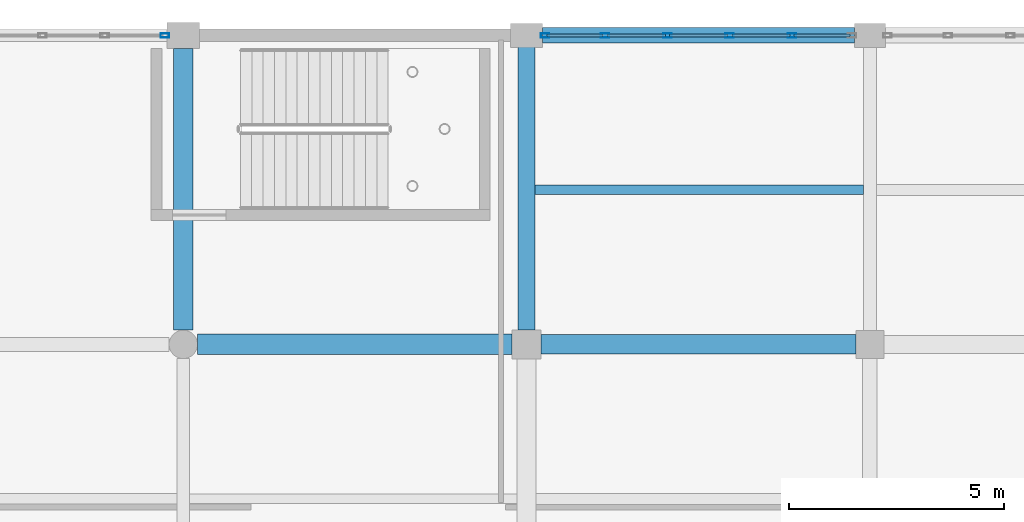
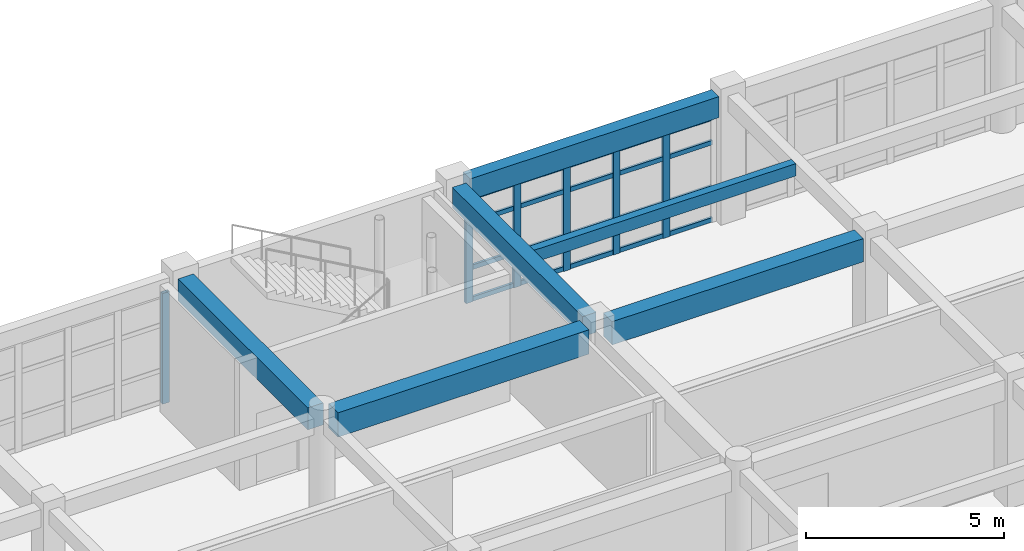
# One storey, part 136 of 195: 26 members, 6 beams, 2 elements without a shape of their own.
"""IFC4 building model written with IfcOpenShell, lengths in metres."""

from ifc_helpers import new_model, si_unit, direction, frame, origin, origin_2d, place, context, subcontext, project, spatial, rectangle, hollow_rectangle, extrude, material, material_profile, profile_set, type_object, element, aggregate, save


model = new_model("IFC4")

# Units and contexts
model_context = context("Model", 3, precision=1e-05, world=origin(), true_north=direction((0.0, 1.0)))
body_context = subcontext(model_context, "Body", "Model", "MODEL_VIEW")
ifc_project = project(units=[si_unit("LENGTHUNIT", "METRE"), si_unit("AREAUNIT", "SQUARE_METRE"), si_unit("VOLUMEUNIT", "CUBIC_METRE"), si_unit("PLANEANGLEUNIT", "RADIAN"), si_unit("MASSUNIT", "GRAM", prefix="KILO")], contexts=[model_context])

# Site, building, storey
site_placement = place(None, origin())
site = spatial("IfcSite", under=ifc_project, at=site_placement, CompositionType="ELEMENT")
building_placement = place(site_placement, origin())
building = spatial("IfcBuilding", under=site, at=building_placement, Name="Kharva Crest Polytechnic", CompositionType="ELEMENT")
storey_placement = place(building_placement, frame((0.0, 0.0, 9.0)))
storey = spatial("IfcBuildingStorey", under=building, at=storey_placement, Name="L02", CompositionType="ELEMENT", Elevation=9.0)

# Beams
ifc_material_1 = material(Name="Concrete C35/45", Category="concrete")
ifc_material_profile_1 = material_profile(ifc_material_1, rectangle(XDim=0.39990234375, YDim=0.6201171875, at=origin_2d()), Name="RECT 400 X 620")
ifc_profile_set_1 = profile_set([ifc_material_profile_1], Name="Concrete C35/45")
beam_type_1 = type_object("IfcBeamType", Name="BM-RC-400X620", PredefinedType="BEAM", material=ifc_profile_set_1)
beam_1_placement = place(storey_placement, frame((152.800048828125, 115.139892578125, 3.610107421875), z_axis=(0.0, 1.0, 0.0), x_axis=(-1.0, 0.0, 0.0)))
element("IfcBeam", 1, at=beam_1_placement, inside=storey, type_object=beam_type_1, Name="L02 Girder 20/R-S", PredefinedType="BEAM", context=body_context, shape_type="SweptSolid", body=[
    extrude(rectangle(XDim=0.39990234375, YDim=0.6201171875, at=origin_2d()), origin(), (0.0, 0.0, 1.0), 6.585205078125),
])
ifc_material_profile_2 = material_profile(ifc_material_1, rectangle(XDim=0.449951171875, YDim=0.679931640625, at=origin_2d()), Name="RECT 450 X 680")
ifc_profile_set_2 = profile_set([ifc_material_profile_2], Name="Concrete C35/45")
beam_type_2 = type_object("IfcBeamType", Name="BM-RC-450X680", PredefinedType="BEAM", material=ifc_profile_set_2)
beam_2_placement = place(storey_placement, frame((144.800048828125, 115.1298828125, 3.580078125), z_axis=(0.0, 1.0, 0.0), x_axis=(-1.0, 0.0, 0.0)))
element("IfcBeam", 2, at=beam_2_placement, inside=storey, type_object=beam_type_2, Name="L02 Girder 19/R-S", PredefinedType="BEAM", context=body_context, shape_type="SweptSolid", body=[
    extrude(rectangle(XDim=0.449951171875, YDim=0.679931640625, at=origin_2d()), origin(), (0.0, 0.0, 1.0), 6.570068359375),
])
ifc_material_profile_3 = material_profile(ifc_material_1, rectangle(XDim=0.449951171875, YDim=0.719970703125, at=origin_2d()), Name="RECT 450 X 720")
ifc_profile_set_3 = profile_set([ifc_material_profile_3], Name="Concrete C35/45")
beam_type_3 = type_object("IfcBeamType", Name="BM-RC-450X720", PredefinedType="BEAM", material=ifc_profile_set_3)
beam_3_placement = place(storey_placement, frame((153.139892578125, 114.800048828125, 3.56005859375), z_axis=(1.0, 0.0, 0.0), x_axis=(0.0, 1.0, 0.0)))
element("IfcBeam", 3, at=beam_3_placement, inside=storey, type_object=beam_type_3, Name="L02 Beam R/20-21", PredefinedType="BEAM", context=body_context, shape_type="SweptSolid", body=[
    extrude(rectangle(XDim=0.449951171875, YDim=0.719970703125, at=origin_2d()), origin(), (0.0, 0.0, 1.0), 7.335205078125),
])
ifc_material_profile_4 = material_profile(ifc_material_1, rectangle(XDim=0.47998046875, YDim=0.75, at=origin_2d()), Name="RECT 480 X 750")
ifc_profile_set_4 = profile_set([ifc_material_profile_4], Name="Concrete C35/45")
beam_type_4 = type_object("IfcBeamType", Name="BM-RC-480X750", PredefinedType="BEAM", material=ifc_profile_set_4)
beam_4_placement = place(storey_placement, frame((145.1298828125, 114.800048828125, 3.544921875), z_axis=(1.0, 0.0, 0.0), x_axis=(0.0, 1.0, 0.0)))
element("IfcBeam", 4, at=beam_4_placement, inside=storey, type_object=beam_type_4, Name="L02 Beam R/19-20", PredefinedType="BEAM", context=body_context, shape_type="SweptSolid", body=[
    extrude(rectangle(XDim=0.47998046875, YDim=0.75, at=origin_2d()), origin(), (0.0, 0.0, 1.0), 7.330078125),
])

# Curtain wall, members
ifc_material_2 = material(Name="Tempered insulated glass", Category="glass")
curtain_wall_type = type_object("IfcCurtainWallType", Name="CW-SYS-LIBRARY", PredefinedType="USERDEFINED", material=ifc_material_2)
curtain_wall_1_placement = place(storey_placement, origin())
curtain_wall_1 = element("IfcCurtainWall", 5, at=curtain_wall_1_placement, inside=storey, type_object=curtain_wall_type, Name="L02 Glazed Curtain Wall CW-115", ObjectType="CURTAIN WALL", PredefinedType="USERDEFINED")
ifc_material_3 = material(Name="Steel S355", Category="steel")
ifc_material_profile_5 = material_profile(ifc_material_3, hollow_rectangle(XDim=0.10009765625, YDim=0.199951171875, WallThickness=0.00634765625, at=origin_2d()), Name="RHS 200X100X6.3")
ifc_profile_set_5 = profile_set([ifc_material_profile_5], Name="Steel S355")
member_type_1 = type_object("IfcMemberType", Name="CWM-RHS200X100", PredefinedType="MULLION", material=ifc_profile_set_5)
member_1_placement = place(storey_placement, frame((158.98388671875, 122.0, 0.0), z_axis=(0.0, 0.0, 1.0), x_axis=(0.0, -1.0, 0.0)))
member_1 = element("IfcMember", 6, at=member_1_placement, type_object=member_type_1, Name="CW-115 mullion 2", PredefinedType="MULLION", context=body_context, shape_type="SweptSolid", body=[
    extrude(hollow_rectangle(XDim=0.10009765625, YDim=0.199951171875, WallThickness=0.00634765625, at=origin_2d()), origin(), (0.0, 0.0, 1.0), 3.27001953125),
])
member_2_placement = place(storey_placement, frame((157.532958984375, 122.0, 0.0), z_axis=(0.0, 0.0, 1.0), x_axis=(0.0, -1.0, 0.0)))
member_2 = element("IfcMember", 7, at=member_2_placement, type_object=member_type_1, Name="CW-115 mullion 3", PredefinedType="MULLION", context=body_context, shape_type="SweptSolid", body=[
    extrude(hollow_rectangle(XDim=0.10009765625, YDim=0.199951171875, WallThickness=0.00634765625, at=origin_2d()), origin(), (0.0, 0.0, 1.0), 3.27001953125),
])
member_3_placement = place(storey_placement, frame((156.08203125, 122.0, 0.0), z_axis=(0.0, 0.0, 1.0), x_axis=(0.0, -1.0, 0.0)))
member_3 = element("IfcMember", 8, at=member_3_placement, type_object=member_type_1, Name="CW-115 mullion 4", PredefinedType="MULLION", context=body_context, shape_type="SweptSolid", body=[
    extrude(hollow_rectangle(XDim=0.10009765625, YDim=0.199951171875, WallThickness=0.00634765625, at=origin_2d()), origin(), (0.0, 0.0, 1.0), 3.27001953125),
])
member_4_placement = place(storey_placement, frame((154.631103515625, 122.0, 0.0), z_axis=(0.0, 0.0, 1.0), x_axis=(0.0, -1.0, 0.0)))
member_4 = element("IfcMember", 9, at=member_4_placement, type_object=member_type_1, Name="CW-115 mullion 5", PredefinedType="MULLION", context=body_context, shape_type="SweptSolid", body=[
    extrude(hollow_rectangle(XDim=0.10009765625, YDim=0.199951171875, WallThickness=0.00634765625, at=origin_2d()), origin(), (0.0, 0.0, 1.0), 3.27001953125),
])
member_5_placement = place(storey_placement, frame((153.22998046875, 122.0, 0.0), z_axis=(0.0, 0.0, 1.0), x_axis=(0.0, -1.0, 0.0)))
member_5 = element("IfcMember", 10, at=member_5_placement, type_object=member_type_1, Name="CW-115 mullion 6", PredefinedType="MULLION", context=body_context, shape_type="SweptSolid", body=[
    extrude(hollow_rectangle(XDim=0.10009765625, YDim=0.199951171875, WallThickness=0.00634765625, at=origin_2d()), origin(), (0.0, 0.0, 1.0), 3.27001953125),
])

# Curtain wall, member
curtain_wall_2_placement = place(storey_placement, origin())
curtain_wall_2 = element("IfcCurtainWall", 11, at=curtain_wall_2_placement, inside=storey, type_object=curtain_wall_type, Name="L02 Glazed Curtain Wall CW-116", ObjectType="CURTAIN WALL", PredefinedType="USERDEFINED")
member_6_placement = place(storey_placement, frame((144.3701171875, 122.0, 0.0), z_axis=(0.0, 0.0, 1.0), x_axis=(0.0, -1.0, 0.0)))
member_6 = element("IfcMember", 12, at=member_6_placement, type_object=member_type_1, Name="CW-116 mullion 1", PredefinedType="MULLION", context=body_context, shape_type="SweptSolid", body=[
    extrude(hollow_rectangle(XDim=0.10009765625, YDim=0.199951171875, WallThickness=0.00634765625, at=origin_2d()), origin(), (0.0, 0.0, 1.0), 3.419921875),
])
aggregate(curtain_wall_2, [member_6])

# Member
ifc_material_profile_6 = material_profile(ifc_material_3, hollow_rectangle(XDim=0.070068359375, YDim=0.139892578125, WallThickness=0.00390625, at=origin_2d()), Name="RHS 140X70X4.0")
ifc_profile_set_6 = profile_set([ifc_material_profile_6], Name="Steel S355")
member_type_2 = type_object("IfcMemberType", Name="CWT-RHS140X70", PredefinedType="USERDEFINED", material=ifc_profile_set_6)
member_7_placement = place(storey_placement, frame((160.3349609375, 122.0, 0.070068359375), z_axis=(-1.0, 0.0, 0.0), x_axis=(0.0, -1.0, 0.0)))
member_7 = element("IfcMember", 13, at=member_7_placement, type_object=member_type_2, Name="CW-115 transom 1.1", ObjectType="TRANSOM", PredefinedType="USERDEFINED", context=body_context, shape_type="SweptSolid", body=[
    extrude(hollow_rectangle(XDim=0.070068359375, YDim=0.139892578125, WallThickness=0.00390625, at=origin_2d()), origin(), (0.0, 0.0, 1.0), 1.301025390625),
])

member_8_placement = place(storey_placement, frame((160.3349609375, 122.0, 1.050048828125), z_axis=(-1.0, 0.0, 0.0), x_axis=(0.0, -1.0, 0.0)))
member_8 = element("IfcMember", 14, at=member_8_placement, type_object=member_type_2, Name="CW-115 transom 1.2", ObjectType="TRANSOM", PredefinedType="USERDEFINED", context=body_context, shape_type="SweptSolid", body=[
    extrude(hollow_rectangle(XDim=0.070068359375, YDim=0.139892578125, WallThickness=0.00390625, at=origin_2d()), origin(), (0.0, 0.0, 1.0), 1.301025390625),
])

member_9_placement = place(storey_placement, frame((160.3349609375, 122.0, 2.449951171875), z_axis=(-1.0, 0.0, 0.0), x_axis=(0.0, -1.0, 0.0)))
member_9 = element("IfcMember", 15, at=member_9_placement, type_object=member_type_2, Name="CW-115 transom 1.3", ObjectType="TRANSOM", PredefinedType="USERDEFINED", context=body_context, shape_type="SweptSolid", body=[
    extrude(hollow_rectangle(XDim=0.070068359375, YDim=0.139892578125, WallThickness=0.00390625, at=origin_2d()), origin(), (0.0, 0.0, 1.0), 1.301025390625),
])

member_10_placement = place(storey_placement, frame((160.3349609375, 122.0, 3.199951171875), z_axis=(-1.0, 0.0, 0.0), x_axis=(0.0, -1.0, 0.0)))
member_10 = element("IfcMember", 16, at=member_10_placement, type_object=member_type_2, Name="CW-115 transom 1.4", ObjectType="TRANSOM", PredefinedType="USERDEFINED", context=body_context, shape_type="SweptSolid", body=[
    extrude(hollow_rectangle(XDim=0.070068359375, YDim=0.139892578125, WallThickness=0.00390625, at=origin_2d()), origin(), (0.0, 0.0, 1.0), 1.301025390625),
])

member_11_placement = place(storey_placement, frame((158.93408203125, 122.0, 0.070068359375), z_axis=(-1.0, 0.0, 0.0), x_axis=(0.0, -1.0, 0.0)))
member_11 = element("IfcMember", 17, at=member_11_placement, type_object=member_type_2, Name="CW-115 transom 2.1", ObjectType="TRANSOM", PredefinedType="USERDEFINED", context=body_context, shape_type="SweptSolid", body=[
    extrude(hollow_rectangle(XDim=0.070068359375, YDim=0.139892578125, WallThickness=0.00390625, at=origin_2d()), origin(), (0.0, 0.0, 1.0), 1.35107421875),
])

member_12_placement = place(storey_placement, frame((158.93408203125, 122.0, 1.050048828125), z_axis=(-1.0, 0.0, 0.0), x_axis=(0.0, -1.0, 0.0)))
member_12 = element("IfcMember", 18, at=member_12_placement, type_object=member_type_2, Name="CW-115 transom 2.2", ObjectType="TRANSOM", PredefinedType="USERDEFINED", context=body_context, shape_type="SweptSolid", body=[
    extrude(hollow_rectangle(XDim=0.070068359375, YDim=0.139892578125, WallThickness=0.00390625, at=origin_2d()), origin(), (0.0, 0.0, 1.0), 1.35107421875),
])

member_13_placement = place(storey_placement, frame((158.93408203125, 122.0, 2.449951171875), z_axis=(-1.0, 0.0, 0.0), x_axis=(0.0, -1.0, 0.0)))
member_13 = element("IfcMember", 19, at=member_13_placement, type_object=member_type_2, Name="CW-115 transom 2.3", ObjectType="TRANSOM", PredefinedType="USERDEFINED", context=body_context, shape_type="SweptSolid", body=[
    extrude(hollow_rectangle(XDim=0.070068359375, YDim=0.139892578125, WallThickness=0.00390625, at=origin_2d()), origin(), (0.0, 0.0, 1.0), 1.35107421875),
])

member_14_placement = place(storey_placement, frame((158.93408203125, 122.0, 3.199951171875), z_axis=(-1.0, 0.0, 0.0), x_axis=(0.0, -1.0, 0.0)))
member_14 = element("IfcMember", 20, at=member_14_placement, type_object=member_type_2, Name="CW-115 transom 2.4", ObjectType="TRANSOM", PredefinedType="USERDEFINED", context=body_context, shape_type="SweptSolid", body=[
    extrude(hollow_rectangle(XDim=0.070068359375, YDim=0.139892578125, WallThickness=0.00390625, at=origin_2d()), origin(), (0.0, 0.0, 1.0), 1.35107421875),
])

member_15_placement = place(storey_placement, frame((157.48291015625, 122.0, 0.070068359375), z_axis=(-1.0, 0.0, 0.0), x_axis=(0.0, -1.0, 0.0)))
member_15 = element("IfcMember", 21, at=member_15_placement, type_object=member_type_2, Name="CW-115 transom 3.1", ObjectType="TRANSOM", PredefinedType="USERDEFINED", context=body_context, shape_type="SweptSolid", body=[
    extrude(hollow_rectangle(XDim=0.070068359375, YDim=0.139892578125, WallThickness=0.00390625, at=origin_2d()), origin(), (0.0, 0.0, 1.0), 1.350830078125),
])

member_16_placement = place(storey_placement, frame((157.48291015625, 122.0, 1.050048828125), z_axis=(-1.0, 0.0, 0.0), x_axis=(0.0, -1.0, 0.0)))
member_16 = element("IfcMember", 22, at=member_16_placement, type_object=member_type_2, Name="CW-115 transom 3.2", ObjectType="TRANSOM", PredefinedType="USERDEFINED", context=body_context, shape_type="SweptSolid", body=[
    extrude(hollow_rectangle(XDim=0.070068359375, YDim=0.139892578125, WallThickness=0.00390625, at=origin_2d()), origin(), (0.0, 0.0, 1.0), 1.350830078125),
])

member_17_placement = place(storey_placement, frame((157.48291015625, 122.0, 2.449951171875), z_axis=(-1.0, 0.0, 0.0), x_axis=(0.0, -1.0, 0.0)))
member_17 = element("IfcMember", 23, at=member_17_placement, type_object=member_type_2, Name="CW-115 transom 3.3", ObjectType="TRANSOM", PredefinedType="USERDEFINED", context=body_context, shape_type="SweptSolid", body=[
    extrude(hollow_rectangle(XDim=0.070068359375, YDim=0.139892578125, WallThickness=0.00390625, at=origin_2d()), origin(), (0.0, 0.0, 1.0), 1.350830078125),
])

member_18_placement = place(storey_placement, frame((157.48291015625, 122.0, 3.199951171875), z_axis=(-1.0, 0.0, 0.0), x_axis=(0.0, -1.0, 0.0)))
member_18 = element("IfcMember", 24, at=member_18_placement, type_object=member_type_2, Name="CW-115 transom 3.4", ObjectType="TRANSOM", PredefinedType="USERDEFINED", context=body_context, shape_type="SweptSolid", body=[
    extrude(hollow_rectangle(XDim=0.070068359375, YDim=0.139892578125, WallThickness=0.00390625, at=origin_2d()), origin(), (0.0, 0.0, 1.0), 1.350830078125),
])

member_19_placement = place(storey_placement, frame((156.031982421875, 122.0, 0.070068359375), z_axis=(-1.0, 0.0, 0.0), x_axis=(0.0, -1.0, 0.0)))
member_19 = element("IfcMember", 25, at=member_19_placement, type_object=member_type_2, Name="CW-115 transom 4.1", ObjectType="TRANSOM", PredefinedType="USERDEFINED", context=body_context, shape_type="SweptSolid", body=[
    extrude(hollow_rectangle(XDim=0.070068359375, YDim=0.139892578125, WallThickness=0.00390625, at=origin_2d()), origin(), (0.0, 0.0, 1.0), 1.35107421875),
])

member_20_placement = place(storey_placement, frame((156.031982421875, 122.0, 1.050048828125), z_axis=(-1.0, 0.0, 0.0), x_axis=(0.0, -1.0, 0.0)))
member_20 = element("IfcMember", 26, at=member_20_placement, type_object=member_type_2, Name="CW-115 transom 4.2", ObjectType="TRANSOM", PredefinedType="USERDEFINED", context=body_context, shape_type="SweptSolid", body=[
    extrude(hollow_rectangle(XDim=0.070068359375, YDim=0.139892578125, WallThickness=0.00390625, at=origin_2d()), origin(), (0.0, 0.0, 1.0), 1.35107421875),
])

member_21_placement = place(storey_placement, frame((156.031982421875, 122.0, 2.449951171875), z_axis=(-1.0, 0.0, 0.0), x_axis=(0.0, -1.0, 0.0)))
member_21 = element("IfcMember", 27, at=member_21_placement, type_object=member_type_2, Name="CW-115 transom 4.3", ObjectType="TRANSOM", PredefinedType="USERDEFINED", context=body_context, shape_type="SweptSolid", body=[
    extrude(hollow_rectangle(XDim=0.070068359375, YDim=0.139892578125, WallThickness=0.00390625, at=origin_2d()), origin(), (0.0, 0.0, 1.0), 1.35107421875),
])

member_22_placement = place(storey_placement, frame((156.031982421875, 122.0, 3.199951171875), z_axis=(-1.0, 0.0, 0.0), x_axis=(0.0, -1.0, 0.0)))
member_22 = element("IfcMember", 28, at=member_22_placement, type_object=member_type_2, Name="CW-115 transom 4.4", ObjectType="TRANSOM", PredefinedType="USERDEFINED", context=body_context, shape_type="SweptSolid", body=[
    extrude(hollow_rectangle(XDim=0.070068359375, YDim=0.139892578125, WallThickness=0.00390625, at=origin_2d()), origin(), (0.0, 0.0, 1.0), 1.35107421875),
])

member_23_placement = place(storey_placement, frame((154.5810546875, 122.0, 0.070068359375), z_axis=(-1.0, 0.0, 0.0), x_axis=(0.0, -1.0, 0.0)))
member_23 = element("IfcMember", 29, at=member_23_placement, type_object=member_type_2, Name="CW-115 transom 5.1", ObjectType="TRANSOM", PredefinedType="USERDEFINED", context=body_context, shape_type="SweptSolid", body=[
    extrude(hollow_rectangle(XDim=0.070068359375, YDim=0.139892578125, WallThickness=0.00390625, at=origin_2d()), origin(), (0.0, 0.0, 1.0), 1.301025390625),
])

member_24_placement = place(storey_placement, frame((154.5810546875, 122.0, 1.050048828125), z_axis=(-1.0, 0.0, 0.0), x_axis=(0.0, -1.0, 0.0)))
member_24 = element("IfcMember", 30, at=member_24_placement, type_object=member_type_2, Name="CW-115 transom 5.2", ObjectType="TRANSOM", PredefinedType="USERDEFINED", context=body_context, shape_type="SweptSolid", body=[
    extrude(hollow_rectangle(XDim=0.070068359375, YDim=0.139892578125, WallThickness=0.00390625, at=origin_2d()), origin(), (0.0, 0.0, 1.0), 1.301025390625),
])

member_25_placement = place(storey_placement, frame((154.5810546875, 122.0, 2.449951171875), z_axis=(-1.0, 0.0, 0.0), x_axis=(0.0, -1.0, 0.0)))
member_25 = element("IfcMember", 31, at=member_25_placement, type_object=member_type_2, Name="CW-115 transom 5.3", ObjectType="TRANSOM", PredefinedType="USERDEFINED", context=body_context, shape_type="SweptSolid", body=[
    extrude(hollow_rectangle(XDim=0.070068359375, YDim=0.139892578125, WallThickness=0.00390625, at=origin_2d()), origin(), (0.0, 0.0, 1.0), 1.301025390625),
])

member_26_placement = place(storey_placement, frame((154.5810546875, 122.0, 3.199951171875), z_axis=(-1.0, 0.0, 0.0), x_axis=(0.0, -1.0, 0.0)))
member_26 = element("IfcMember", 32, at=member_26_placement, type_object=member_type_2, Name="CW-115 transom 5.4", ObjectType="TRANSOM", PredefinedType="USERDEFINED", context=body_context, shape_type="SweptSolid", body=[
    extrude(hollow_rectangle(XDim=0.070068359375, YDim=0.139892578125, WallThickness=0.00390625, at=origin_2d()), origin(), (0.0, 0.0, 1.0), 1.301025390625),
])

aggregate(curtain_wall_1, [member_1, member_2, member_3, member_4, member_5, member_7, member_8, member_9, member_10, member_11, member_12, member_13, member_14, member_15, member_16, member_17, member_18, member_19, member_20, member_21, member_22, member_23, member_24, member_25, member_26])

# Beams
ifc_material_profile_7 = material_profile(ifc_material_1, rectangle(XDim=0.219970703125, YDim=0.3798828125, at=origin_2d()), Name="RECT 220 X 380")
ifc_profile_set_7 = profile_set([ifc_material_profile_7], Name="Concrete C35/45")
beam_type_5 = type_object("IfcBeamType", Name="JS-RC-220X380", PredefinedType="JOIST", material=ifc_profile_set_7)
beam_5_placement = place(storey_placement, frame((153.0, 118.39990234375, 3.72998046875), z_axis=(1.0, 0.0, 0.0), x_axis=(0.0, 1.0, 0.0)))
element("IfcBeam", 33, at=beam_5_placement, inside=storey, type_object=beam_type_5, Name="L02 Floor Joist 60", PredefinedType="JOIST", context=body_context, shape_type="SweptSolid", body=[
    extrude(rectangle(XDim=0.219970703125, YDim=0.3798828125, at=origin_2d()), origin(), (0.0, 0.0, 1.0), 7.64990234375),
])
ifc_material_profile_8 = material_profile(ifc_material_1, rectangle(XDim=0.360107421875, YDim=0.64990234375, at=origin_2d()), Name="RECT 360 X 650")
ifc_profile_set_8 = profile_set([ifc_material_profile_8], Name="Concrete C35/45")
beam_type_6 = type_object("IfcBeamType", Name="SP-RC-360X650", PredefinedType="SPANDREL", material=ifc_profile_set_8)
beam_6_placement = place(storey_placement, frame((153.175048828125, 122.0, 3.594970703125), z_axis=(1.0, 0.0, 0.0), x_axis=(0.0, 1.0, 0.0)))
element("IfcBeam", 34, at=beam_6_placement, inside=storey, type_object=beam_type_6, Name="L02 Beam S/20-21", PredefinedType="SPANDREL", context=body_context, shape_type="SweptSolid", body=[
    extrude(rectangle(XDim=0.360107421875, YDim=0.64990234375, at=origin_2d()), origin(), (0.0, 0.0, 1.0), 7.264892578125),
])

save(model, "model.ifc")
